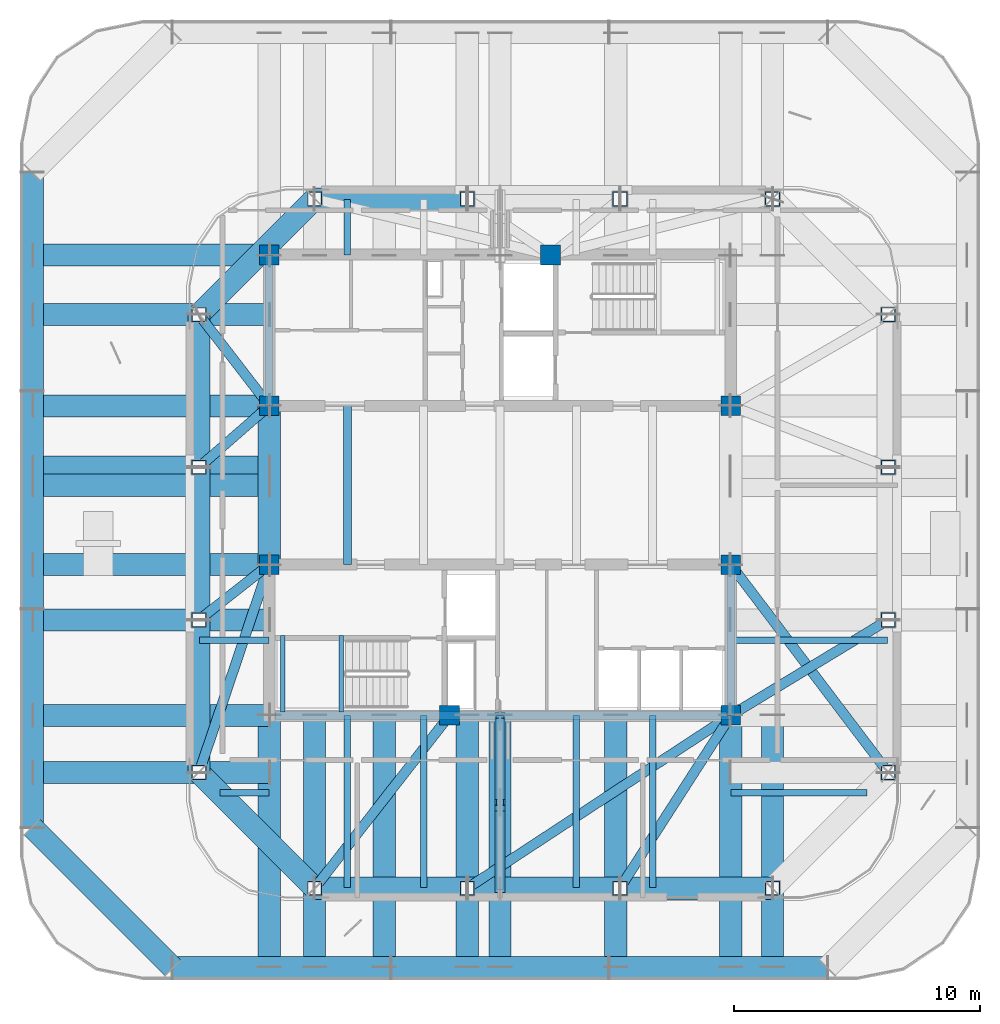
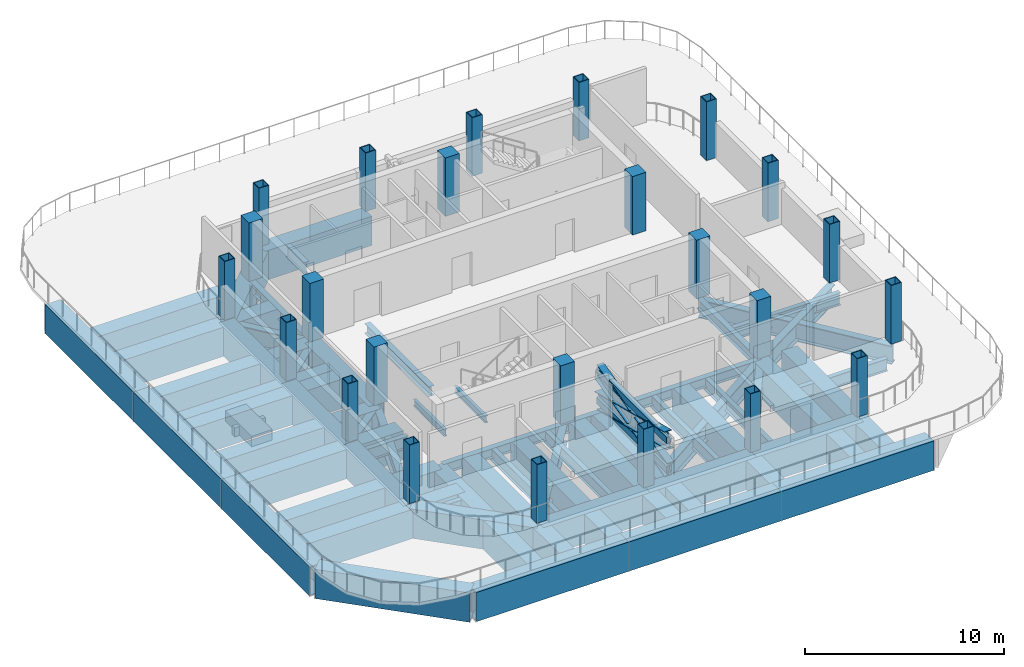
# One storey, part 1 of 10: 58 beams, 24 columns, 5 members.
"""IFC4 building model written with IfcOpenShell, lengths in metres."""

from ifc_helpers import new_model, si_unit, direction, frame, origin, origin_2d, place, context, subcontext, project, spatial, rectangle, hollow_rectangle, i_section, extrude, material, material_profile, profile_set, type_object, element, save


model = new_model("IFC4")

# Units and contexts
model_context = context("Model", 3, precision=1e-05, world=origin(), true_north=direction((0.0, 1.0)))
body_context = subcontext(model_context, "Body", "Model", "MODEL_VIEW")
ifc_project = project(units=[si_unit("LENGTHUNIT", "METRE"), si_unit("AREAUNIT", "SQUARE_METRE"), si_unit("VOLUMEUNIT", "CUBIC_METRE"), si_unit("PLANEANGLEUNIT", "RADIAN"), si_unit("MASSUNIT", "GRAM", prefix="KILO")], contexts=[model_context])

# Site, building, storey
site_placement = place(None, origin())
site = spatial("IfcSite", under=ifc_project, at=site_placement, CompositionType="ELEMENT")
building_placement = place(site_placement, origin())
building = spatial("IfcBuilding", under=site, at=building_placement, Name="Qhalaya Broadcast Tower", CompositionType="ELEMENT")
storey_placement = place(building_placement, frame((0.0, 0.0, 231.300048828125)))
storey = spatial("IfcBuildingStorey", under=building, at=storey_placement, Name="L68", CompositionType="ELEMENT", Elevation=231.300048828125)

# Columns
ifc_material_1 = material(Name="Concrete C50/60", Category="concrete")
ifc_material_profile_1 = material_profile(ifc_material_1, rectangle(XDim=0.800048828125, YDim=0.800048828125, at=origin_2d()), Name="RC-COL 800x800")
ifc_profile_set_1 = profile_set([ifc_material_profile_1], Name="Concrete C50/60")
column_type_1 = type_object("IfcColumnType", Name="RC Upper Column C10", PredefinedType="COLUMN", material=ifc_profile_set_1)
for number, where, z_axis, x_axis, name in (
    (1, (-9.375, 9.949951171875, 0.0), (0.0, 0.0, 1.0), (1.0, 0.0, 0.0), "L68 Column COL-CC1"),
    (2, (2.050048828125, 9.949951171875, 0.0), (0.0, 0.0, 1.0), (1.0, 0.0, 0.0), "L68 Column COL-CC2"),
    (3, (-9.375, 3.824951171875, 0.0), (0.0, 0.0, 1.0), (1.0, 0.0, 0.0), "L68 Column COL-CC3"),
    (4, (9.375, 3.824951171875, 0.0), (0.0, 0.0, 1.0), (1.0, 0.0, 0.0), "L68 Column COL-CC4"),
    (5, (-9.375, -2.625, 0.0), (0.0, 0.0, 1.0), (1.0, 0.0, 0.0), "L68 Column COL-CC5"),
    (6, (9.375, -2.625, 0.0), (0.0, 0.0, 1.0), (1.0, 0.0, 0.0), "L68 Column COL-CC6"),
    (7, (-2.050048828125, -8.75, 0.0), (0.0, 0.0, 1.0), (1.0, 0.0, 0.0), "L68 Column COL-CC7"),
    (8, (9.375, -8.75, 0.0), (0.0, 0.0, 1.0), (1.0, 0.0, 0.0), "L68 Column COL-CC8"),
):
    element("IfcColumn", number, at=place(storey_placement, frame(where, z_axis=z_axis, x_axis=x_axis)), inside=storey, type_object=column_type_1, Name=name, PredefinedType="COLUMN", context=body_context, shape_type="SweptSolid", body=[
        extrude(rectangle(XDim=0.800048828125, YDim=0.800048828125, at=origin_2d()), origin(), (0.0, 0.0, 1.0), 3.599853515625),
    ])
ifc_material_2 = material(Name="Structural Steel ASTM A572 Grade 50", Category="steel")
ifc_material_profile_2 = material_profile(ifc_material_2, hollow_rectangle(XDim=0.60009765625, YDim=0.60009765625, WallThickness=0.0400390625, at=origin_2d()), Name="BOX 600x600x40")
ifc_profile_set_2 = profile_set([ifc_material_profile_2], Name="Structural Steel ASTM A572 Grade 50")
column_type_2 = type_object("IfcColumnType", Name="Steel Box Column C05", PredefinedType="COLUMN", material=ifc_profile_set_2)
for number, where, z_axis, x_axis, name in (
    (9, (-7.530029296875, -15.77001953125, 0.0), (0.0, 0.0, 1.0), (1.0, 0.0, 0.0), "L68 Column COL-NK01"),
    (10, (-1.330078125, -15.77001953125, 0.0), (0.0, 0.0, 1.0), (1.0, 0.0, 0.0), "L68 Column COL-NK02"),
    (11, (4.8701171875, -15.77001953125, 0.0), (0.0, 0.0, 1.0), (1.0, 0.0, 0.0), "L68 Column COL-NK03"),
    (12, (11.070068359375, -15.77001953125, 0.0), (0.0, 0.0, 1.0), (1.0, 0.0, 0.0), "L68 Column COL-NK04"),
    (13, (15.77001953125, -11.070068359375, 0.0), (0.0, 0.0, 1.0), (0.0, 1.0, 0.0), "L68 Column COL-NK05"),
    (14, (15.77001953125, -4.8701171875, 0.0), (0.0, 0.0, 1.0), (0.0, 1.0, 0.0), "L68 Column COL-NK06"),
    (15, (15.77001953125, 1.330078125, 0.0), (0.0, 0.0, 1.0), (0.0, 1.0, 0.0), "L68 Column COL-NK07"),
    (16, (15.77001953125, 7.530029296875, 0.0), (0.0, 0.0, 1.0), (0.0, 1.0, 0.0), "L68 Column COL-NK08"),
    (17, (11.070068359375, 12.22998046875, 0.0), (0.0, 0.0, 1.0), (1.0, 0.0, 0.0), "L68 Column COL-NK09"),
    (18, (4.8701171875, 12.22998046875, 0.0), (0.0, 0.0, 1.0), (1.0, 0.0, 0.0), "L68 Column COL-NK10"),
    (19, (-1.330078125, 12.22998046875, 0.0), (0.0, 0.0, 1.0), (1.0, 0.0, 0.0), "L68 Column COL-NK11"),
    (20, (-7.530029296875, 12.22998046875, 0.0), (0.0, 0.0, 1.0), (1.0, 0.0, 0.0), "L68 Column COL-NK12"),
    (21, (-12.22998046875, 7.530029296875, 0.0), (0.0, 0.0, 1.0), (0.0, 1.0, 0.0), "L68 Column COL-NK13"),
    (22, (-12.22998046875, 1.330078125, 0.0), (0.0, 0.0, 1.0), (0.0, 1.0, 0.0), "L68 Column COL-NK14"),
    (23, (-12.22998046875, -4.8701171875, 0.0), (0.0, 0.0, 1.0), (0.0, 1.0, 0.0), "L68 Column COL-NK15"),
    (24, (-12.22998046875, -11.070068359375, 0.0), (0.0, 0.0, 1.0), (0.0, 1.0, 0.0), "L68 Column COL-NK16"),
):
    element("IfcColumn", number, at=place(storey_placement, frame(where, z_axis=z_axis, x_axis=x_axis)), inside=storey, type_object=column_type_2, Name=name, PredefinedType="COLUMN", context=body_context, shape_type="SweptSolid", body=[
        extrude(hollow_rectangle(XDim=0.60009765625, YDim=0.60009765625, WallThickness=0.0400390625, at=origin_2d()), origin(), (0.0, 0.0, 1.0), 3.599853515625),
    ])

# Beams
ifc_material_profile_3 = material_profile(ifc_material_2, hollow_rectangle(XDim=0.89990234375, YDim=1.800048828125, WallThickness=0.06005859375, at=origin_2d()), Name="BOX 900x1800x60")
ifc_profile_set_3 = profile_set([ifc_material_profile_3], Name="Structural Steel ASTM A572 Grade 50")
beam_type_1 = type_object("IfcBeamType", Name="Block Cantilever Transfer Box Girder TG1", PredefinedType="USERDEFINED", material=ifc_profile_set_3)
beam_1_placement = place(storey_placement, frame((-7.530029296875, -15.77001953125, -1.179931640625), z_axis=(1.0, 0.0, 0.0), x_axis=(0.0, 1.0, 0.0)))
element("IfcBeam", 25, at=beam_1_placement, inside=storey, type_object=beam_type_1, Name="L68 TG1 L68-SPR-01", ObjectType="GIRDER", PredefinedType="USERDEFINED", context=body_context, shape_type="SweptSolid", body=[
    extrude(hollow_rectangle(XDim=0.89990234375, YDim=1.800048828125, WallThickness=0.06005859375, at=origin_2d()), origin(), (0.0, 0.0, 1.0), 6.199951171875),
])
beam_2_placement = place(storey_placement, frame((-1.330078125, -15.77001953125, -1.179931640625), z_axis=(1.0, 0.0, 0.0), x_axis=(0.0, 1.0, 0.0)))
element("IfcBeam", 26, at=beam_2_placement, inside=storey, type_object=beam_type_1, Name="L68 TG1 L68-SPR-02", ObjectType="GIRDER", PredefinedType="USERDEFINED", context=body_context, shape_type="SweptSolid", body=[
    extrude(hollow_rectangle(XDim=0.89990234375, YDim=1.800048828125, WallThickness=0.06005859375, at=origin_2d()), origin(), (0.0, 0.0, 1.0), 6.2001953125),
])
for number, where, z_axis, x_axis, name in (
    (27, (4.8701171875, -15.77001953125, -1.179931640625), (1.0, 0.0, 0.0), (0.0, 1.0, 0.0), "L68 TG1 L68-SPR-03"),
    (28, (-1.330078125, 12.22998046875, -1.179931640625), (-1.0, 0.0, 0.0), (0.0, -1.0, 0.0), "L68 TG1 L68-SPR-11"),
):
    element("IfcBeam", number, at=place(storey_placement, frame(where, z_axis=z_axis, x_axis=x_axis)), inside=storey, type_object=beam_type_1, Name=name, ObjectType="GIRDER", PredefinedType="USERDEFINED", context=body_context, shape_type="SweptSolid", body=[
        extrude(hollow_rectangle(XDim=0.89990234375, YDim=1.800048828125, WallThickness=0.06005859375, at=origin_2d()), origin(), (0.0, 0.0, 1.0), 6.199951171875),
    ])
beam_3_placement = place(storey_placement, frame((-7.530029296875, 12.22998046875, -1.179931640625), z_axis=(-0.707106781187, -0.707106781187, 0.0), x_axis=(0.707106781187, -0.707106781187, 0.0)))
element("IfcBeam", 29, at=beam_3_placement, inside=storey, type_object=beam_type_1, Name="L68 TG1 L68-SPR-12", ObjectType="GIRDER", PredefinedType="USERDEFINED", context=body_context, shape_type="SweptSolid", body=[
    extrude(hollow_rectangle(XDim=0.89990234375, YDim=1.800048828125, WallThickness=0.06005859375, at=origin_2d()), origin(), (0.0, 0.0, 1.0), 6.646728515625),
])
beam_4_placement = place(storey_placement, frame((-12.22998046875, 7.530029296875, -1.179931640625), z_axis=(0.0, -1.0, 0.0), x_axis=(1.0, 0.0, 0.0)))
element("IfcBeam", 30, at=beam_4_placement, inside=storey, type_object=beam_type_1, Name="L68 TG1 L68-SPR-13", ObjectType="GIRDER", PredefinedType="USERDEFINED", context=body_context, shape_type="SweptSolid", body=[
    extrude(hollow_rectangle(XDim=0.89990234375, YDim=1.800048828125, WallThickness=0.06005859375, at=origin_2d()), origin(), (0.0, 0.0, 1.0), 6.199951171875),
])
beam_5_placement = place(storey_placement, frame((-12.22998046875, 1.330078125, -1.179931640625), z_axis=(0.0, -1.0, 0.0), x_axis=(1.0, 0.0, 0.0)))
element("IfcBeam", 31, at=beam_5_placement, inside=storey, type_object=beam_type_1, Name="L68 TG1 L68-SPR-14", ObjectType="GIRDER", PredefinedType="USERDEFINED", context=body_context, shape_type="SweptSolid", body=[
    extrude(hollow_rectangle(XDim=0.89990234375, YDim=1.800048828125, WallThickness=0.06005859375, at=origin_2d()), origin(), (0.0, 0.0, 1.0), 6.2001953125),
])
beam_6_placement = place(storey_placement, frame((-12.22998046875, -4.8701171875, -1.179931640625), z_axis=(0.0, -1.0, 0.0), x_axis=(1.0, 0.0, 0.0)))
element("IfcBeam", 32, at=beam_6_placement, inside=storey, type_object=beam_type_1, Name="L68 TG1 L68-SPR-15", ObjectType="GIRDER", PredefinedType="USERDEFINED", context=body_context, shape_type="SweptSolid", body=[
    extrude(hollow_rectangle(XDim=0.89990234375, YDim=1.800048828125, WallThickness=0.06005859375, at=origin_2d()), origin(), (0.0, 0.0, 1.0), 6.199951171875),
])
beam_7_placement = place(storey_placement, frame((-12.22998046875, -11.070068359375, -1.179931640625), z_axis=(0.707106781187, -0.707106781187, 0.0), x_axis=(0.707106781187, 0.707106781187, 0.0)))
element("IfcBeam", 33, at=beam_7_placement, inside=storey, type_object=beam_type_1, Name="L68 TG1 L68-SPR-16", ObjectType="GIRDER", PredefinedType="USERDEFINED", context=body_context, shape_type="SweptSolid", body=[
    extrude(hollow_rectangle(XDim=0.89990234375, YDim=1.800048828125, WallThickness=0.06005859375, at=origin_2d()), origin(), (0.0, 0.0, 1.0), 6.646728515625),
])
for number, where, z_axis, x_axis, name in (
    (34, (-13.300048828125, -19.0, -1.179931640625), (1.0, 0.0, 0.0), (0.0, 1.0, 0.0), "L68 TG1 L68-TGL-01"),
    (35, (-4.433349609375, -19.0, -1.179931640625), (1.0, 0.0, 0.0), (0.0, 1.0, 0.0), "L68 TG1 L68-TGL-02"),
    (36, (4.433349609375, -19.0, -1.179931640625), (1.0, 0.0, 0.0), (0.0, 1.0, 0.0), "L68 TG1 L68-TGL-03"),
    (37, (-19.0, 13.300048828125, -1.179931640625), (0.0, -1.0, 0.0), (1.0, 0.0, 0.0), "L68 TG1 L68-TGL-13"),
    (38, (-19.0, 4.433349609375, -1.179931640625), (0.0, -1.0, 0.0), (1.0, 0.0, 0.0), "L68 TG1 L68-TGL-14"),
    (39, (-19.0, -4.433349609375, -1.179931640625), (0.0, -1.0, 0.0), (1.0, 0.0, 0.0), "L68 TG1 L68-TGL-15"),
):
    element("IfcBeam", number, at=place(storey_placement, frame(where, z_axis=z_axis, x_axis=x_axis)), inside=storey, type_object=beam_type_1, Name=name, ObjectType="GIRDER", PredefinedType="USERDEFINED", context=body_context, shape_type="SweptSolid", body=[
        extrude(hollow_rectangle(XDim=0.89990234375, YDim=1.800048828125, WallThickness=0.06005859375, at=origin_2d()), origin(), (0.0, 0.0, 1.0), 8.86669921875),
    ])
beam_8_placement = place(storey_placement, frame((-19.0, -13.300048828125, -1.179931640625), z_axis=(0.707106781187, -0.707106781187, 0.0), x_axis=(0.707106781187, 0.707106781187, 0.0)))
element("IfcBeam", 40, at=beam_8_placement, inside=storey, type_object=beam_type_1, Name="L68 TG1 L68-TGL-16", ObjectType="GIRDER", PredefinedType="USERDEFINED", context=body_context, shape_type="SweptSolid", body=[
    extrude(hollow_rectangle(XDim=0.89990234375, YDim=1.800048828125, WallThickness=0.06005859375, at=origin_2d()), origin(), (0.0, 0.0, 1.0), 8.06103515625),
])
for number, where, z_axis, x_axis, name in (
    (41, (0.0, -18.9599609375, -1.179931640625), (0.0, 1.0, 0.0), (-1.0, 0.0, 0.0), "L68 TG1 L68-TGIMS-1"),
    (42, (-4.699951171875, -18.9599609375, -1.179931640625), (0.0, 1.0, 0.0), (-1.0, 0.0, 0.0), "L68 TG1 L68-TGIMSW-1"),
    (43, (4.699951171875, -18.9599609375, -1.179931640625), (0.0, 1.0, 0.0), (-1.0, 0.0, 0.0), "L68 TG1 L68-TGIMSE-1"),
):
    element("IfcBeam", number, at=place(storey_placement, frame(where, z_axis=z_axis, x_axis=x_axis)), inside=storey, type_object=beam_type_1, Name=name, ObjectType="GIRDER", PredefinedType="USERDEFINED", context=body_context, shape_type="SweptSolid", body=[
        extrude(hollow_rectangle(XDim=0.89990234375, YDim=1.800048828125, WallThickness=0.06005859375, at=origin_2d()), origin(), (0.0, 0.0, 1.0), 10.2099609375),
    ])
beam_9_placement = place(storey_placement, frame((-18.9599609375, 0.60009765625, -1.179931640625), z_axis=(1.0, 0.0, 0.0), x_axis=(0.0, 1.0, 0.0)))
element("IfcBeam", 44, at=beam_9_placement, inside=storey, type_object=beam_type_1, Name="L68 TG1 L68-TGIYW-1", ObjectType="GIRDER", PredefinedType="USERDEFINED", context=body_context, shape_type="SweptSolid", body=[
    extrude(hollow_rectangle(XDim=0.89990234375, YDim=1.800048828125, WallThickness=0.06005859375, at=origin_2d()), origin(), (0.0, 0.0, 1.0), 9.5849609375),
])
for number, where, z_axis, x_axis, name in (
    (45, (-9.375, -18.9599609375, -1.179931640625), (0.0, 1.0, 0.0), (-1.0, 0.0, 0.0), "L68 TG1 L68-TGISW-1"),
    (46, (9.375, -18.9599609375, -1.179931640625), (0.0, 1.0, 0.0), (-1.0, 0.0, 0.0), "L68 TG1 L68-TGISE-1"),
):
    element("IfcBeam", number, at=place(storey_placement, frame(where, z_axis=z_axis, x_axis=x_axis)), inside=storey, type_object=beam_type_1, Name=name, ObjectType="GIRDER", PredefinedType="USERDEFINED", context=body_context, shape_type="SweptSolid", body=[
        extrude(hollow_rectangle(XDim=0.89990234375, YDim=1.800048828125, WallThickness=0.06005859375, at=origin_2d()), origin(), (0.0, 0.0, 1.0), 10.2099609375),
    ])
beam_10_placement = place(storey_placement, frame((-9.375, -2.625, -1.179931640625), z_axis=(0.0, 1.0, 0.0), x_axis=(-1.0, 0.0, 0.0)))
element("IfcBeam", 47, at=beam_10_placement, inside=storey, type_object=beam_type_1, Name="L68 TG1 L68-TGIMW-1", ObjectType="GIRDER", PredefinedType="USERDEFINED", context=body_context, shape_type="SweptSolid", body=[
    extrude(hollow_rectangle(XDim=0.89990234375, YDim=1.800048828125, WallThickness=0.06005859375, at=origin_2d()), origin(), (0.0, 0.0, 1.0), 6.449951171875),
])
for number, where, z_axis, x_axis, name in (
    (48, (-18.9599609375, -8.75, -1.179931640625), (1.0, 0.0, 0.0), (0.0, 1.0, 0.0), "L68 TG1 L68-TGIY1W-1"),
    (49, (-18.9599609375, -2.625, -1.179931640625), (1.0, 0.0, 0.0), (0.0, 1.0, 0.0), "L68 TG1 L68-TGIY2W-1"),
    (50, (-18.9599609375, 3.824951171875, -1.179931640625), (1.0, 0.0, 0.0), (0.0, 1.0, 0.0), "L68 TG1 L68-TGIY3W-1"),
    (51, (-18.9599609375, 9.949951171875, -1.179931640625), (1.0, 0.0, 0.0), (0.0, 1.0, 0.0), "L68 TG1 L68-TGIY4W-1"),
):
    element("IfcBeam", number, at=place(storey_placement, frame(where, z_axis=z_axis, x_axis=x_axis)), inside=storey, type_object=beam_type_1, Name=name, ObjectType="GIRDER", PredefinedType="USERDEFINED", context=body_context, shape_type="SweptSolid", body=[
        extrude(hollow_rectangle(XDim=0.89990234375, YDim=1.800048828125, WallThickness=0.06005859375, at=origin_2d()), origin(), (0.0, 0.0, 1.0), 9.5849609375),
    ])
for number, where, z_axis, x_axis, name in (
    (52, (-7.530029296875, -18.9599609375, -1.179931640625), (0.0, 1.0, 0.0), (-1.0, 0.0, 0.0), "L68 Spanning Transfer Box Girder 01"),
    (53, (-1.330078125, -18.9599609375, -1.179931640625), (0.0, 1.0, 0.0), (-1.0, 0.0, 0.0), "L68 Spanning Transfer Box Girder 02"),
    (54, (11.070068359375, -18.9599609375, -1.179931640625), (0.0, 1.0, 0.0), (-1.0, 0.0, 0.0), "L68 Spanning Transfer Box Girder 04"),
):
    element("IfcBeam", number, at=place(storey_placement, frame(where, z_axis=z_axis, x_axis=x_axis)), inside=storey, type_object=beam_type_1, Name=name, ObjectType="GIRDER", PredefinedType="USERDEFINED", context=body_context, shape_type="SweptSolid", body=[
        extrude(hollow_rectangle(XDim=0.89990234375, YDim=1.800048828125, WallThickness=0.06005859375, at=origin_2d()), origin(), (0.0, 0.0, 1.0), 10.2099609375),
    ])
for number, where, z_axis, x_axis, name in (
    (55, (-18.9599609375, 7.530029296875, -1.179931640625), (1.0, 0.0, 0.0), (0.0, 1.0, 0.0), "L68 Spanning Transfer Box Girder 13"),
    (56, (-18.9599609375, 1.330078125, -1.179931640625), (1.0, 0.0, 0.0), (0.0, 1.0, 0.0), "L68 Spanning Transfer Box Girder 14"),
    (57, (-18.9599609375, -4.8701171875, -1.179931640625), (1.0, 0.0, 0.0), (0.0, 1.0, 0.0), "L68 Spanning Transfer Box Girder 15"),
    (58, (-18.9599609375, -11.070068359375, -1.179931640625), (1.0, 0.0, 0.0), (0.0, 1.0, 0.0), "L68 Spanning Transfer Box Girder 16"),
):
    element("IfcBeam", number, at=place(storey_placement, frame(where, z_axis=z_axis, x_axis=x_axis)), inside=storey, type_object=beam_type_1, Name=name, ObjectType="GIRDER", PredefinedType="USERDEFINED", context=body_context, shape_type="SweptSolid", body=[
        extrude(hollow_rectangle(XDim=0.89990234375, YDim=1.800048828125, WallThickness=0.06005859375, at=origin_2d()), origin(), (0.0, 0.0, 1.0), 9.5849609375),
    ])
ifc_material_3 = material(Name="Structural Steel ASTM A992 Grade 50", Category="steel")
ifc_material_profile_4 = material_profile(ifc_material_3, i_section(OverallWidth=0.323974609375, OverallDepth=0.612060546875, WebThickness=0.0126953125, FlangeThickness=0.01904296875, at=origin_2d()), Name="W24X104")
ifc_profile_set_4 = profile_set([ifc_material_profile_4], Name="Structural Steel ASTM A992 Grade 50")
beam_type_2 = type_object("IfcBeamType", Name="Core Frame Tie Beam B04", PredefinedType="BEAM", material=ifc_profile_set_4)
for number, where, z_axis, x_axis, name in (
    (59, (-9.375, 3.824951171875, -0.5859375), (0.0, 1.0, 0.0), (-1.0, 0.0, 0.0), "L68 B04 L68-CCN2"),
    (60, (9.375, -8.75, -0.5859375), (0.0, 1.0, 0.0), (-1.0, 0.0, 0.0), "L68 B04 L68-CCS2"),
):
    element("IfcBeam", number, at=place(storey_placement, frame(where, z_axis=z_axis, x_axis=x_axis)), inside=storey, type_object=beam_type_2, Name=name, PredefinedType="BEAM", context=body_context, shape_type="SweptSolid", body=[
        extrude(i_section(OverallWidth=0.323974609375, OverallDepth=0.612060546875, WebThickness=0.0126953125, FlangeThickness=0.01904296875, at=origin_2d()), origin(), (0.0, 0.0, 1.0), 6.125),
    ])
beam_11_placement = place(storey_placement, frame((-9.1201171875, -8.75, -0.5859375), z_axis=(1.0, 0.0, 0.0), x_axis=(0.0, 1.0, 0.0)))
element("IfcBeam", 61, at=beam_11_placement, inside=storey, type_object=beam_type_2, Name="L68 B04 L68-CCS3", PredefinedType="BEAM", context=body_context, shape_type="SweptSolid", body=[
    extrude(i_section(OverallWidth=0.323974609375, OverallDepth=0.612060546875, WebThickness=0.0126953125, FlangeThickness=0.01904296875, at=origin_2d()), origin(), (0.0, 0.0, 1.0), 18.4951171875),
])
beam_12_placement = place(storey_placement, frame((-6.199951171875, -2.625, -0.5859375), z_axis=(0.0, 1.0, 0.0), x_axis=(-1.0, 0.0, 0.0)))
element("IfcBeam", 62, at=beam_12_placement, inside=storey, type_object=beam_type_2, Name="L68 B04 L68-JC1-1", PredefinedType="BEAM", context=body_context, shape_type="SweptSolid", body=[
    extrude(i_section(OverallWidth=0.323974609375, OverallDepth=0.612060546875, WebThickness=0.0126953125, FlangeThickness=0.01904296875, at=origin_2d()), origin(), (0.0, 0.0, 1.0), 6.449951171875),
])

# Members
ifc_material_profile_5 = material_profile(ifc_material_2, i_section(OverallWidth=0.40087890625, OverallDepth=1.0009765625, WebThickness=0.01904296875, FlangeThickness=0.0361328125, at=origin_2d()), Name="W40X249")
ifc_profile_set_5 = profile_set([ifc_material_profile_5], Name="Structural Steel ASTM A572 Grade 50")
member_type_1 = type_object("IfcMemberType", Name="Core-to-Perimeter Outrigger Brace OB1", PredefinedType="BRACE", material=ifc_profile_set_5)
member_1_placement = place(storey_placement, frame((0.0, -8.75, 0.449951171875), z_axis=(0.0, -0.969411535269, 0.24544098127), x_axis=(1.0, 0.0, 0.0)))
element("IfcMember", 63, at=member_1_placement, inside=storey, type_object=member_type_1, Name="L68 Outrigger Continuous Diagonal SCA", PredefinedType="BRACE", context=body_context, shape_type="SweptSolid", body=[
    extrude(i_section(OverallWidth=0.40087890625, OverallDepth=1.0009765625, WebThickness=0.01904296875, FlangeThickness=0.0361328125, at=origin_2d()), origin(), (0.0, 0.0, 1.0), 7.293212890625),
])
member_2_placement = place(storey_placement, frame((0.0, -8.75, 2.239990234375), z_axis=(0.0, -0.969404502193, -0.245468757948), x_axis=(1.0, 0.0, 0.0)))
element("IfcMember", 64, at=member_2_placement, inside=storey, type_object=member_type_1, Name="L68 Outrigger Split Diagonal SCB1", PredefinedType="BRACE", context=body_context, shape_type="SweptSolid", body=[
    extrude(i_section(OverallWidth=0.40087890625, OverallDepth=1.0009765625, WebThickness=0.01904296875, FlangeThickness=0.0361328125, at=origin_2d()), origin(), (0.0, 0.0, 1.0), 3.406494140625),
])
member_3_placement = place(storey_placement, frame((0.0, -12.517578125, 1.2861328125), z_axis=(0.0, -0.969408820195, -0.245451704677), x_axis=(1.0, 0.0, 0.0)))
element("IfcMember", 65, at=member_3_placement, inside=storey, type_object=member_type_1, Name="L68 Outrigger Split Diagonal SCB2", PredefinedType="BRACE", context=body_context, shape_type="SweptSolid", body=[
    extrude(i_section(OverallWidth=0.40087890625, OverallDepth=1.0009765625, WebThickness=0.01904296875, FlangeThickness=0.0361328125, at=origin_2d()), origin(), (0.0, 0.0, 1.0), 3.40673828125),
])
ifc_material_profile_6 = material_profile(ifc_material_2, hollow_rectangle(XDim=0.300048828125, YDim=0.39990234375, WallThickness=0.02001953125, at=origin_2d()), Name="HSS 300x400x20")
ifc_profile_set_6 = profile_set([ifc_material_profile_6], Name="Structural Steel ASTM A572 Grade 50")
member_type_2 = type_object("IfcMemberType", Name="Outrigger & Belt-Truss Chord CH1", PredefinedType="CHORD", material=ifc_profile_set_6)
for number, where, z_axis, x_axis, name in (
    (66, (0.0, -8.75, 0.449951171875), (0.0, -1.0, 0.0), (1.0, 0.0, 0.0), "L68 Outrigger Bottom Chord SC"),
    (67, (0.0, -8.75, 2.239990234375), (0.0, -1.0, 0.0), (1.0, 0.0, 0.0), "L68 Outrigger Top Chord SC"),
):
    element("IfcMember", number, at=place(storey_placement, frame(where, z_axis=z_axis, x_axis=x_axis)), inside=storey, type_object=member_type_2, Name=name, PredefinedType="CHORD", context=body_context, shape_type="SweptSolid", body=[
        extrude(hollow_rectangle(XDim=0.300048828125, YDim=0.39990234375, WallThickness=0.02001953125, at=origin_2d()), origin(), (0.0, 0.0, 1.0), 7.070068359375),
    ])

# Beams
ifc_material_profile_7 = material_profile(ifc_material_3, i_section(OverallWidth=0.26708984375, OverallDepth=0.761962890625, WebThickness=0.014404296875, FlangeThickness=0.021484375, at=origin_2d()), Name="W30X116")
ifc_profile_set_7 = profile_set([ifc_material_profile_7], Name="Structural Steel ASTM A992 Grade 50")
beam_type_3 = type_object("IfcBeamType", Name="Plant & Server Floor Beam B02", PredefinedType="BEAM", material=ifc_profile_set_7)
beam_13_placement = place(storey_placement, frame((-6.199951171875, -15.75, -0.6611328125), z_axis=(0.0, 1.0, 0.0), x_axis=(-1.0, 0.0, 0.0)))
element("IfcBeam", 68, at=beam_13_placement, inside=storey, type_object=beam_type_3, Name="L68 B02 L68-JNS1-1", PredefinedType="BEAM", context=body_context, shape_type="SweptSolid", body=[
    extrude(i_section(OverallWidth=0.26708984375, OverallDepth=0.761962890625, WebThickness=0.014404296875, FlangeThickness=0.021484375, at=origin_2d()), origin(), (0.0, 0.0, 1.0), 7.0),
])
beam_14_placement = place(storey_placement, frame((-6.199951171875, 9.949951171875, -0.6611328125), z_axis=(0.0, 1.0, 0.0), x_axis=(-1.0, 0.0, 0.0)))
element("IfcBeam", 69, at=beam_14_placement, inside=storey, type_object=beam_type_3, Name="L68 B02 L68-JNN1-1", PredefinedType="BEAM", context=body_context, shape_type="SweptSolid", body=[
    extrude(i_section(OverallWidth=0.26708984375, OverallDepth=0.761962890625, WebThickness=0.014404296875, FlangeThickness=0.021484375, at=origin_2d()), origin(), (0.0, 0.0, 1.0), 2.260009765625),
])
for number, where, z_axis, x_axis, name in (
    (70, (-3.10009765625, -15.75, -0.6611328125), (0.0, 1.0, 0.0), (-1.0, 0.0, 0.0), "L68 B02 L68-JNS2-1"),
    (71, (3.10009765625, -15.75, -0.6611328125), (0.0, 1.0, 0.0), (-1.0, 0.0, 0.0), "L68 B02 L68-JNS4-1"),
    (72, (6.199951171875, -15.75, -0.6611328125), (0.0, 1.0, 0.0), (-1.0, 0.0, 0.0), "L68 B02 L68-JNS5-1"),
):
    element("IfcBeam", number, at=place(storey_placement, frame(where, z_axis=z_axis, x_axis=x_axis)), inside=storey, type_object=beam_type_3, Name=name, PredefinedType="BEAM", context=body_context, shape_type="SweptSolid", body=[
        extrude(i_section(OverallWidth=0.26708984375, OverallDepth=0.761962890625, WebThickness=0.014404296875, FlangeThickness=0.021484375, at=origin_2d()), origin(), (0.0, 0.0, 1.0), 7.0),
    ])
beam_15_placement = place(storey_placement, frame((-11.37158203125, -11.89990234375, -0.6611328125), z_axis=(1.0, 0.0, 0.0), x_axis=(0.0, 1.0, 0.0)))
element("IfcBeam", 73, at=beam_15_placement, inside=storey, type_object=beam_type_3, Name="L68 B02 L68-JWE2W-1", PredefinedType="BEAM", context=body_context, shape_type="SweptSolid", body=[
    extrude(i_section(OverallWidth=0.26708984375, OverallDepth=0.761962890625, WebThickness=0.014404296875, FlangeThickness=0.021484375, at=origin_2d()), origin(), (0.0, 0.0, 1.0), 1.99658203125),
])
beam_16_placement = place(storey_placement, frame((9.375, -11.89990234375, -0.6611328125), z_axis=(1.0, 0.0, 0.0), x_axis=(0.0, 1.0, 0.0)))
element("IfcBeam", 74, at=beam_16_placement, inside=storey, type_object=beam_type_3, Name="L68 B02 L68-JWE2E-1", PredefinedType="BEAM", context=body_context, shape_type="SweptSolid", body=[
    extrude(i_section(OverallWidth=0.26708984375, OverallDepth=0.761962890625, WebThickness=0.014404296875, FlangeThickness=0.021484375, at=origin_2d()), origin(), (0.0, 0.0, 1.0), 5.53662109375),
])
beam_17_placement = place(storey_placement, frame((-12.2099609375, -5.699951171875, -0.6611328125), z_axis=(1.0, 0.0, 0.0), x_axis=(0.0, 1.0, 0.0)))
element("IfcBeam", 75, at=beam_17_placement, inside=storey, type_object=beam_type_3, Name="L68 B02 L68-JWE3W-1", PredefinedType="BEAM", context=body_context, shape_type="SweptSolid", body=[
    extrude(i_section(OverallWidth=0.26708984375, OverallDepth=0.761962890625, WebThickness=0.014404296875, FlangeThickness=0.021484375, at=origin_2d()), origin(), (0.0, 0.0, 1.0), 2.8349609375),
])
beam_18_placement = place(storey_placement, frame((9.375, -5.699951171875, -0.6611328125), z_axis=(1.0, 0.0, 0.0), x_axis=(0.0, 1.0, 0.0)))
element("IfcBeam", 76, at=beam_18_placement, inside=storey, type_object=beam_type_3, Name="L68 B02 L68-JWE3E-1", PredefinedType="BEAM", context=body_context, shape_type="SweptSolid", body=[
    extrude(i_section(OverallWidth=0.26708984375, OverallDepth=0.761962890625, WebThickness=0.014404296875, FlangeThickness=0.021484375, at=origin_2d()), origin(), (0.0, 0.0, 1.0), 6.375),
])
ifc_material_profile_8 = material_profile(ifc_material_3, i_section(OverallWidth=0.404052734375, OverallDepth=1.117919921875, WebThickness=0.026123046875, FlangeThickness=0.044921875, at=origin_2d()), Name="W44X335")
ifc_profile_set_8 = profile_set([ifc_material_profile_8], Name="Structural Steel ASTM A992 Grade 50")
beam_type_4 = type_object("IfcBeamType", Name="Podium Long-Span Primary Girder PG1", PredefinedType="USERDEFINED", material=ifc_profile_set_8)
beam_19_placement = place(storey_placement, frame((-2.050048828125, -8.75, -0.839111328125), z_axis=(-0.615336505184, -0.788264540233, 0.0), x_axis=(0.788264540233, -0.615336505184, 0.0)))
element("IfcBeam", 77, at=beam_19_placement, inside=storey, type_object=beam_type_4, Name="L68 Column-to-Column Moment Tie Girder 01-1", ObjectType="GIRDER", PredefinedType="USERDEFINED", context=body_context, shape_type="SweptSolid", body=[
    extrude(i_section(OverallWidth=0.404052734375, OverallDepth=1.117919921875, WebThickness=0.026123046875, FlangeThickness=0.044921875, at=origin_2d()), origin(), (0.0, 0.0, 1.0), 8.90576171875),
])
beam_20_placement = place(storey_placement, frame((9.375, -8.75, -0.839111328125), z_axis=(-0.836233758183, -0.548373140914, 0.0), x_axis=(0.548373140914, -0.836233758183, 0.0)))
element("IfcBeam", 78, at=beam_20_placement, inside=storey, type_object=beam_type_4, Name="L68 Column-to-Column Moment Tie Girder 02-2", ObjectType="GIRDER", PredefinedType="USERDEFINED", context=body_context, shape_type="SweptSolid", body=[
    extrude(i_section(OverallWidth=0.404052734375, OverallDepth=1.117919921875, WebThickness=0.026123046875, FlangeThickness=0.044921875, at=origin_2d()), origin(), (0.0, 0.0, 1.0), 12.801513671875),
])
beam_21_placement = place(storey_placement, frame((9.375, -8.75, -0.839111328125), z_axis=(-0.540079886259, -0.841613757289, 0.0), x_axis=(0.841613757289, -0.540079886259, 0.0)))
element("IfcBeam", 79, at=beam_21_placement, inside=storey, type_object=beam_type_4, Name="L68 Column-to-Column Moment Tie Girder 03-1", ObjectType="GIRDER", PredefinedType="USERDEFINED", context=body_context, shape_type="SweptSolid", body=[
    extrude(i_section(OverallWidth=0.404052734375, OverallDepth=1.117919921875, WebThickness=0.026123046875, FlangeThickness=0.044921875, at=origin_2d()), origin(), (0.0, 0.0, 1.0), 8.341064453125),
])
beam_22_placement = place(storey_placement, frame((9.375, -2.625, -0.839111328125), z_axis=(0.603692164432, -0.797217517747, 0.0), x_axis=(0.797217517747, 0.603692164432, 0.0)))
element("IfcBeam", 80, at=beam_22_placement, inside=storey, type_object=beam_type_4, Name="L68 Column-to-Column Moment Tie Girder 05-2", ObjectType="GIRDER", PredefinedType="USERDEFINED", context=body_context, shape_type="SweptSolid", body=[
    extrude(i_section(OverallWidth=0.404052734375, OverallDepth=1.117919921875, WebThickness=0.026123046875, FlangeThickness=0.044921875, at=origin_2d()), origin(), (0.0, 0.0, 1.0), 10.59326171875),
])
beam_23_placement = place(storey_placement, frame((9.375, -8.75, -0.839111328125), z_axis=(0.854953983398, 0.518703852186, 0.0), x_axis=(-0.518703852186, 0.854953983398, 0.0)))
element("IfcBeam", 81, at=beam_23_placement, inside=storey, type_object=beam_type_4, Name="L68 Column-to-Column Moment Tie Girder 06-2", ObjectType="GIRDER", PredefinedType="USERDEFINED", context=body_context, shape_type="SweptSolid", body=[
    extrude(i_section(OverallWidth=0.404052734375, OverallDepth=1.117919921875, WebThickness=0.026123046875, FlangeThickness=0.044921875, at=origin_2d()), origin(), (0.0, 0.0, 1.0), 7.47998046875),
])
beam_24_placement = place(storey_placement, frame((-9.375, 3.824951171875, -0.839111328125), z_axis=(-0.610371430225, 0.792115343347, 0.0), x_axis=(-0.792115343347, -0.610371430225, 0.0)))
element("IfcBeam", 82, at=beam_24_placement, inside=storey, type_object=beam_type_4, Name="L68 Column-to-Column Moment Tie Girder 13-2", ObjectType="GIRDER", PredefinedType="USERDEFINED", context=body_context, shape_type="SweptSolid", body=[
    extrude(i_section(OverallWidth=0.404052734375, OverallDepth=1.117919921875, WebThickness=0.026123046875, FlangeThickness=0.044921875, at=origin_2d()), origin(), (0.0, 0.0, 1.0), 4.677490234375),
])
beam_25_placement = place(storey_placement, frame((-9.375, 3.824951171875, -0.839111328125), z_axis=(-0.752999360989, -0.658021247644, 0.0), x_axis=(0.658021247644, -0.752999360989, 0.0)))
element("IfcBeam", 83, at=beam_25_placement, inside=storey, type_object=beam_type_4, Name="L68 Column-to-Column Moment Tie Girder 14-1", ObjectType="GIRDER", PredefinedType="USERDEFINED", context=body_context, shape_type="SweptSolid", body=[
    extrude(i_section(OverallWidth=0.404052734375, OverallDepth=1.117919921875, WebThickness=0.026123046875, FlangeThickness=0.044921875, at=origin_2d()), origin(), (0.0, 0.0, 1.0), 3.79150390625),
])
beam_26_placement = place(storey_placement, frame((-9.375, -2.625, -0.839111328125), z_axis=(-0.786061692875, -0.618148052649, 0.0), x_axis=(0.618148052649, -0.786061692875, 0.0)))
element("IfcBeam", 84, at=beam_26_placement, inside=storey, type_object=beam_type_4, Name="L68 Column-to-Column Moment Tie Girder 15-1", ObjectType="GIRDER", PredefinedType="USERDEFINED", context=body_context, shape_type="SweptSolid", body=[
    extrude(i_section(OverallWidth=0.404052734375, OverallDepth=1.117919921875, WebThickness=0.026123046875, FlangeThickness=0.044921875, at=origin_2d()), origin(), (0.0, 0.0, 1.0), 3.632080078125),
])
beam_27_placement = place(storey_placement, frame((-9.375, -2.625, -0.839111328125), z_axis=(-0.320258953889, -0.947330038822, 0.0), x_axis=(0.947330038822, -0.320258953889, 0.0)))
element("IfcBeam", 85, at=beam_27_placement, inside=storey, type_object=beam_type_4, Name="L68 Column-to-Column Moment Tie Girder 16-1", ObjectType="GIRDER", PredefinedType="USERDEFINED", context=body_context, shape_type="SweptSolid", body=[
    extrude(i_section(OverallWidth=0.404052734375, OverallDepth=1.117919921875, WebThickness=0.026123046875, FlangeThickness=0.044921875, at=origin_2d()), origin(), (0.0, 0.0, 1.0), 8.91455078125),
])
ifc_material_profile_9 = material_profile(ifc_material_3, i_section(OverallWidth=0.177978515625, OverallDepth=0.406005859375, WebThickness=0.0078125, FlangeThickness=0.0126953125, at=origin_2d()), Name="W16X40")
ifc_profile_set_9 = profile_set([ifc_material_profile_9], Name="Structural Steel ASTM A992 Grade 50")
beam_type_5 = type_object("IfcBeamType", Name="Upper Perimeter Spandrel Beam SP2", PredefinedType="SPANDREL", material=ifc_profile_set_9)
for number, where, z_axis, x_axis, name in (
    (86, (-8.830078125, -8.6201171875, 1.39697265625), (0.0, 1.0, 0.0), (-1.0, 0.0, 0.0), "L68 ST-2 Half-Landing Bearer Beam 1"),
    (87, (-6.455078125, -8.6201171875, 1.39697265625), (0.0, 1.0, 0.0), (-1.0, 0.0, 0.0), "L68 ST-2 Half-Landing Bearer Beam 2"),
):
    element("IfcBeam", number, at=place(storey_placement, frame(where, z_axis=z_axis, x_axis=x_axis)), inside=storey, type_object=beam_type_5, Name=name, PredefinedType="SPANDREL", context=body_context, shape_type="SweptSolid", body=[
        extrude(i_section(OverallWidth=0.177978515625, OverallDepth=0.406005859375, WebThickness=0.0078125, FlangeThickness=0.0126953125, at=origin_2d()), origin(), (0.0, 0.0, 1.0), 3.1201171875),
    ])

save(model, "model.ifc")
